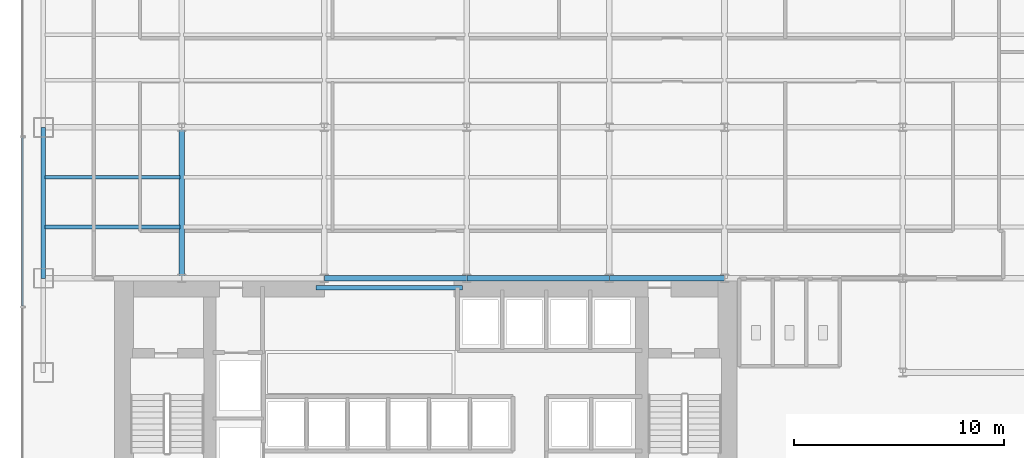
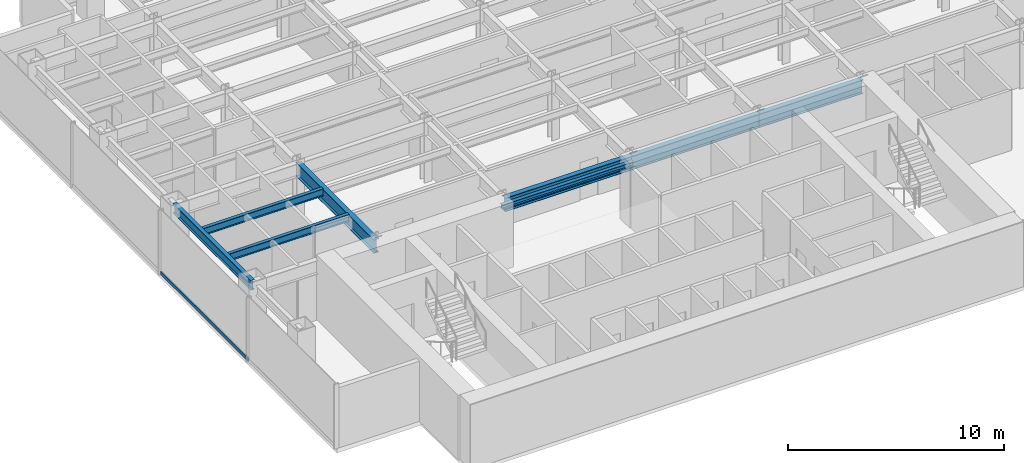
# One storey, part 3 of 22: 8 beams, 1 member, 1 element without a shape of its own.
"""IFC4 building model written with IfcOpenShell, lengths in metres."""

from ifc_helpers import new_model, si_unit, derived_unit, direction, frame, origin, origin_2d, place, context, subcontext, project, spatial, hollow_rectangle, i_section, extrude, source, transform, mapped, material, material_profile, profile_set, type_object, element, aggregate, save


model = new_model("IFC4")

# Units and contexts
model_context = context("Model", 3, precision=1e-05, world=origin(), true_north=direction((0.0, 1.0)))
body_context = subcontext(model_context, "Body", "Model", "MODEL_VIEW")
ifc_project = project(units=[si_unit("LENGTHUNIT", "METRE"), si_unit("AREAUNIT", "SQUARE_METRE"), si_unit("VOLUMEUNIT", "CUBIC_METRE"), si_unit("PLANEANGLEUNIT", "RADIAN"), si_unit("MASSUNIT", "GRAM", prefix="KILO"), derived_unit("THERMALTRANSMITTANCEUNIT", [(si_unit("POWERUNIT", "WATT"), 1), (si_unit("LENGTHUNIT", "METRE"), -2), (si_unit("THERMODYNAMICTEMPERATUREUNIT", "KELVIN"), -1)])], contexts=[model_context])

# Site, building, storey
site_placement = place(None, origin())
site = spatial("IfcSite", under=ifc_project, at=site_placement, CompositionType="ELEMENT")
building_placement = place(site_placement, origin())
building = spatial("IfcBuilding", under=site, at=building_placement, Name="Skarnbrae Concourse Arena and Tower", CompositionType="ELEMENT")
storey_placement = place(building_placement, frame((0.0, 0.0, 32.5)))
storey = spatial("IfcBuildingStorey", under=building, at=storey_placement, Name="L06", CompositionType="ELEMENT", Elevation=32.5)

# Beams
ifc_material_1 = material(Name="Steel CSA G40.21 350W", Category="steel")
ifc_material_profile_1 = material_profile(ifc_material_1, i_section(OverallWidth=0.202880859375, OverallDepth=0.251953125, WebThickness=0.008056640625, FlangeThickness=0.013427734375, at=origin_2d()), Name="W250X58")
ifc_profile_set_1 = profile_set([ifc_material_profile_1], Name="Steel CSA G40.21 350W")
beam_type_1 = type_object("IfcBeamType", Name="BM-LINTEL-W250X58", PredefinedType="LINTEL", material=ifc_profile_set_1)
shared_shape_1 = source(origin(), body_context, "Body", "SweptSolid", [
    extrude(i_section(OverallWidth=0.202880859375, OverallDepth=0.251953125, WebThickness=0.008056640625, FlangeThickness=0.013427734375, at=origin_2d()), origin(), (0.0, 0.0, 1.0), 7.0),
])
beam_1_placement = place(storey_placement, frame((14.0, 13.550048828125, 3.27392578125), z_axis=(1.0, 0.0, 0.0), x_axis=(0.0, 1.0, 0.0)))
element("IfcBeam", 1, at=beam_1_placement, inside=storey, type_object=beam_type_1, Name="L06 Core portal coupling lintel", PredefinedType="LINTEL", context=body_context, shape_type="MappedRepresentation", body=[
    mapped(shared_shape_1, transform((0.0, 0.0, 0.0))),
])
ifc_material_profile_2 = material_profile(ifc_material_1, i_section(OverallWidth=0.26806640625, OverallDepth=0.77001953125, WebThickness=0.015625, FlangeThickness=0.025390625, at=origin_2d()), Name="W760X196")
ifc_profile_set_2 = profile_set([ifc_material_profile_2], Name="Steel CSA G40.21 350W")
beam_type_2 = type_object("IfcBeamType", Name="BM-GIRD-W760X196", PredefinedType="BEAM", material=ifc_profile_set_2)
shared_shape_2 = source(origin(), body_context, "Body", "SweptSolid", [
    extrude(i_section(OverallWidth=0.26806640625, OverallDepth=0.77001953125, WebThickness=0.015625, FlangeThickness=0.025390625, at=origin_2d()), origin(), (0.0, 0.0, 1.0), 6.800048828125),
])
for number, where, z_axis, x_axis, name in (
    (2, (14.39990234375, 14.0, 3.014892578125), (1.0, 0.0, 0.0), (0.0, 1.0, 0.0), "L06 Primary E-W girder Y14.0-3"),
    (3, (21.199951171875, 14.0, 3.014892578125), (1.0, 0.0, 0.0), (0.0, 1.0, 0.0), "L06 Primary E-W girder Y14.0-4"),
):
    element("IfcBeam", number, at=place(storey_placement, frame(where, z_axis=z_axis, x_axis=x_axis)), inside=storey, type_object=beam_type_2, Name=name, PredefinedType="BEAM", context=body_context, shape_type="MappedRepresentation", body=[
        mapped(shared_shape_2, transform((0.0, 0.0, 0.0))),
    ])
shared_shape_3 = source(origin(), body_context, "Body", "SweptSolid", [
    extrude(i_section(OverallWidth=0.26806640625, OverallDepth=0.77001953125, WebThickness=0.015625, FlangeThickness=0.025390625, at=origin_2d()), origin(), (0.0, 0.0, 1.0), 5.5),
])
beam_2_placement = place(storey_placement, frame((28.0, 14.0, 3.014892578125), z_axis=(1.0, 0.0, 0.0), x_axis=(0.0, 1.0, 0.0)))
element("IfcBeam", 4, at=beam_2_placement, inside=storey, type_object=beam_type_2, Name="L06 Primary E-W girder Y14.0-5", PredefinedType="BEAM", context=body_context, shape_type="MappedRepresentation", body=[
    mapped(shared_shape_3, transform((0.0, 0.0, 0.0))),
])
ifc_material_profile_3 = material_profile(ifc_material_1, i_section(OverallWidth=0.214111328125, OverallDepth=0.549072265625, WebThickness=0.0146484375, FlangeThickness=0.023681640625, at=origin_2d()), Name="W530X138")
ifc_profile_set_3 = profile_set([ifc_material_profile_3], Name="Steel CSA G40.21 350W")
beam_type_3 = type_object("IfcBeamType", Name="BM-SPAN-W530X138", PredefinedType="SPANDREL", material=ifc_profile_set_3)
shared_shape_4 = source(origin(), body_context, "Body", "SweptSolid", [
    extrude(i_section(OverallWidth=0.214111328125, OverallDepth=0.549072265625, WebThickness=0.0146484375, FlangeThickness=0.023681640625, at=origin_2d()), origin(), (0.0, 0.0, 1.0), 7.199951171875),
])
beam_3_placement = place(storey_placement, frame((1.0, 14.0, 3.12548828125), z_axis=(0.0, 1.0, 0.0), x_axis=(-1.0, 0.0, 0.0)))
element("IfcBeam", 5, at=beam_3_placement, inside=storey, type_object=beam_type_3, Name="L06 Perimeter spandrel X1.0-2", PredefinedType="SPANDREL", context=body_context, shape_type="MappedRepresentation", body=[
    mapped(shared_shape_4, transform((0.0, 0.0, 0.0))),
])
shared_shape_5 = source(origin(), body_context, "Body", "SweptSolid", [
    extrude(i_section(OverallWidth=0.26806640625, OverallDepth=0.77001953125, WebThickness=0.015625, FlangeThickness=0.025390625, at=origin_2d()), origin(), (0.0, 0.0, 1.0), 7.199951171875),
])
beam_4_placement = place(storey_placement, frame((7.60009765625, 14.0, 3.014892578125), z_axis=(0.0, 1.0, 0.0), x_axis=(-1.0, 0.0, 0.0)))
element("IfcBeam", 6, at=beam_4_placement, inside=storey, type_object=beam_type_2, Name="L06 Primary N-S girder X7.6-1", PredefinedType="BEAM", context=body_context, shape_type="MappedRepresentation", body=[
    mapped(shared_shape_5, transform((0.0, 0.0, 0.0))),
])
ifc_material_profile_4 = material_profile(ifc_material_1, i_section(OverallWidth=0.180908203125, OverallDepth=0.4169921875, WebThickness=0.010986328125, FlangeThickness=0.018310546875, at=origin_2d()), Name="W410X85")
ifc_profile_set_4 = profile_set([ifc_material_profile_4], Name="Steel CSA G40.21 350W")
beam_type_4 = type_object("IfcBeamType", Name="BM-JOIST-W410X85", PredefinedType="JOIST", material=ifc_profile_set_4)
shared_shape_6 = source(origin(), body_context, "Body", "SweptSolid", [
    extrude(i_section(OverallWidth=0.180908203125, OverallDepth=0.4169921875, WebThickness=0.010986328125, FlangeThickness=0.018310546875, at=origin_2d()), origin(), (0.0, 0.0, 1.0), 6.43994140625),
])
for number, where, z_axis, x_axis, name in (
    (7, (1.080078125, 16.447998046875, 3.19140625), (1.0, 0.0, 0.0), (0.0, 1.0, 0.0), "L06 Secondary floor joist 1.1.1"),
    (8, (1.080078125, 18.823974609375, 3.19140625), (1.0, 0.0, 0.0), (0.0, 1.0, 0.0), "L06 Secondary floor joist 1.2.1"),
):
    element("IfcBeam", number, at=place(storey_placement, frame(where, z_axis=z_axis, x_axis=x_axis)), inside=storey, type_object=beam_type_4, Name=name, PredefinedType="JOIST", context=body_context, shape_type="MappedRepresentation", body=[
        mapped(shared_shape_6, transform((0.0, 0.0, 0.0))),
    ])

# Curtain wall, member
ifc_material_2 = material(Name="Bronze anodised aluminium 6063-T6", Category="aluminium")
curtain_wall_type = type_object("IfcCurtainWallType", Name="CW-SYS-02-LOWZONE", PredefinedType="USERDEFINED", material=ifc_material_2)
curtain_wall_placement = place(storey_placement, origin())
curtain_wall = element("IfcCurtainWall", 9, at=curtain_wall_placement, inside=storey, type_object=curtain_wall_type, Name="L06 Unitised curtain wall CW-L06-E19", ObjectType="UNITISED CURTAIN WALL", PredefinedType="USERDEFINED")
ifc_material_profile_5 = material_profile(ifc_material_2, hollow_rectangle(XDim=0.080078125, YDim=0.18994140625, WallThickness=0.0048828125, at=origin_2d()), Name="ALU-TRAN-80X190")
ifc_profile_set_5 = profile_set([ifc_material_profile_5], Name="Bronze anodised aluminium 6063-T6")
member_type = type_object("IfcMemberType", Name="CWT-CW-02", PredefinedType="USERDEFINED", material=ifc_profile_set_5)
shared_shape_7 = source(origin(), body_context, "Body", "SweptSolid", [
    extrude(hollow_rectangle(XDim=0.080078125, YDim=0.18994140625, WallThickness=0.0048828125, at=origin_2d()), origin(), (0.0, 0.0, 1.0), 8.044921875),
])
member_placement = place(storey_placement, frame((0.0, 20.7099609375, 0.094970703125), z_axis=(0.0, -1.0, 0.0), x_axis=(1.0, 0.0, 0.0)))
member = element("IfcMember", 10, at=member_placement, type_object=member_type, Name="CW-L06-E19 Transom 3", ObjectType="TRANSOM", PredefinedType="USERDEFINED", context=body_context, shape_type="MappedRepresentation", body=[
    mapped(shared_shape_7, transform((0.0, 0.0, 0.0))),
])
aggregate(curtain_wall, [member])

save(model, "model.ifc")
